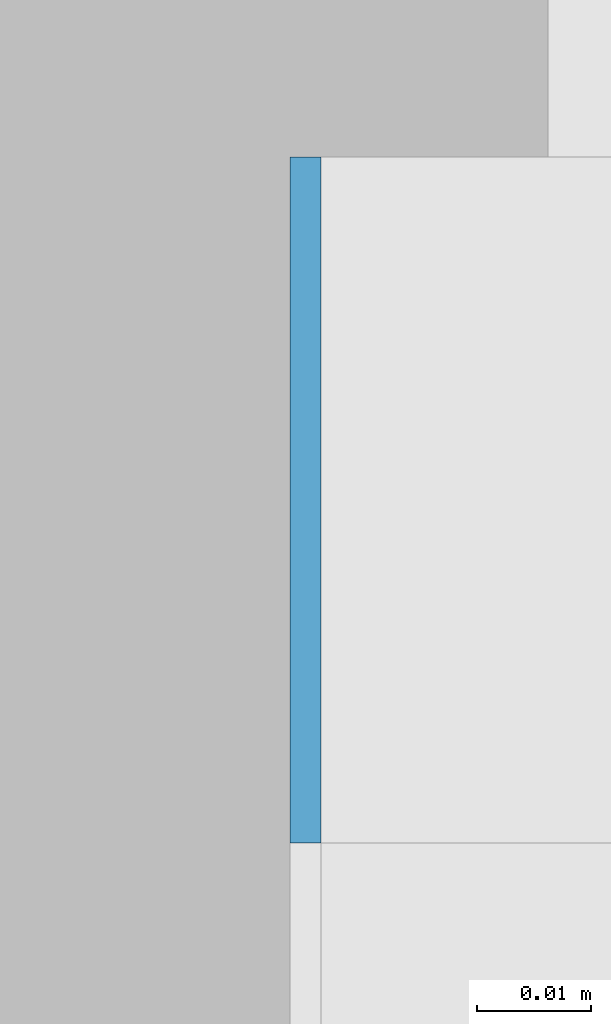
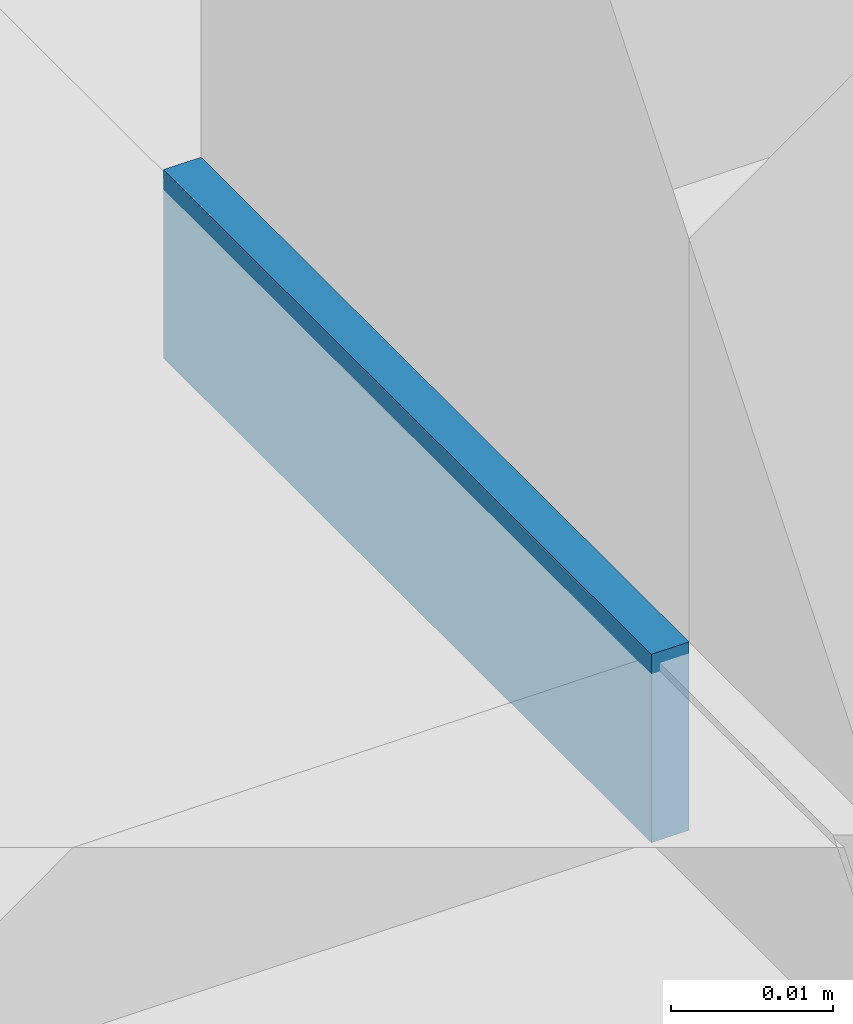
# One storey, part 462 of 646: 1 discrete accessory.
"""IFC4 building model written with IfcOpenShell, lengths in metres."""

from ifc_helpers import new_model, si_unit, direction, frame, origin, origin_2d, place, context, subcontext, project, spatial, rectangle, extrude, material, type_object, element, save


model = new_model("IFC4")

# Units and contexts
model_context = context("Model", 3, precision=1e-05, world=origin(), true_north=direction((0.0, 1.0)))
body_context = subcontext(model_context, "Body", "Model", "MODEL_VIEW")
ifc_project = project(units=[si_unit("LENGTHUNIT", "METRE"), si_unit("AREAUNIT", "SQUARE_METRE"), si_unit("VOLUMEUNIT", "CUBIC_METRE"), si_unit("PLANEANGLEUNIT", "RADIAN"), si_unit("MASSUNIT", "GRAM", prefix="KILO")], contexts=[model_context])

# Site, building, storey
site_placement = place(None, origin())
site = spatial("IfcSite", under=ifc_project, at=site_placement, CompositionType="ELEMENT")
building_placement = place(site_placement, origin())
building = spatial("IfcBuilding", under=site, at=building_placement, Name="Silverbay Arena", CompositionType="ELEMENT")
storey_placement = place(building_placement, frame((0.0, 0.0, 33.5)))
storey = spatial("IfcBuildingStorey", under=building, at=storey_placement, Name="L05", CompositionType="ELEMENT", Elevation=33.5)

# Discrete accessory
ifc_material = material(Name="Steel S355", Category="steel")
discrete_accessory_type = type_object("IfcDiscreteAccessoryType", Name="Steel bracket plate", PredefinedType="BRACKET", material=ifc_material)
discrete_accessory_placement = place(storey_placement, frame((207.128662109375, 45.030029296875, 4.0), z_axis=(0.0, 0.0, 1.0), x_axis=(1.0, 0.0, 0.0)))
element("IfcDiscreteAccessory", 1, at=discrete_accessory_placement, inside=storey, type_object=discrete_accessory_type, Name="Curtain wall packing plate", PredefinedType="BRACKET", context=body_context, shape_type="SweptSolid", body=[
    extrude(rectangle(XDim=0.002685546875, YDim=0.06005859375, at=origin_2d()), origin(), (0.0, 0.0, 1.0), 0.01416015625),
])

save(model, "model.ifc")
